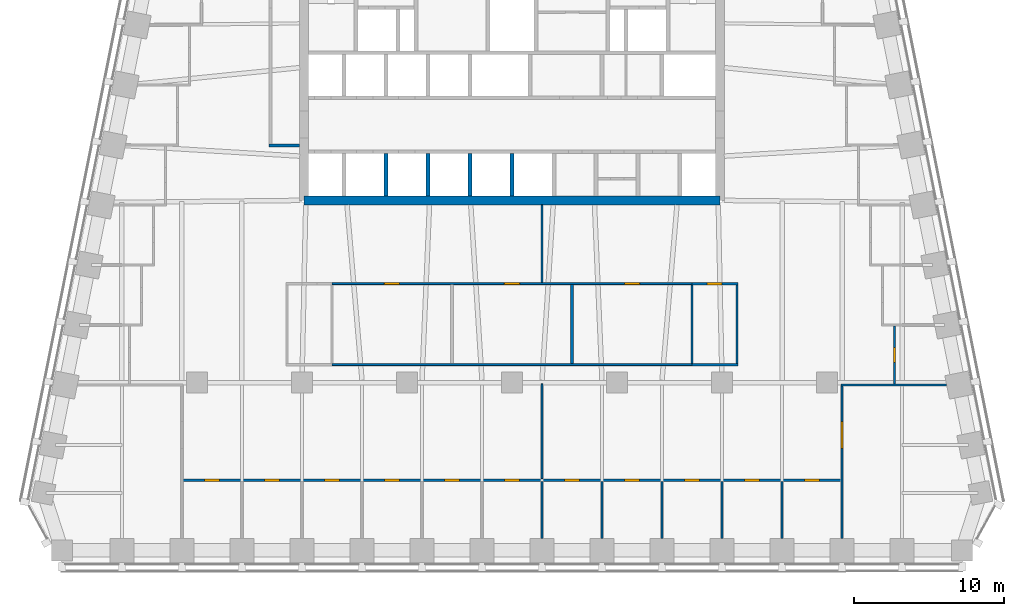
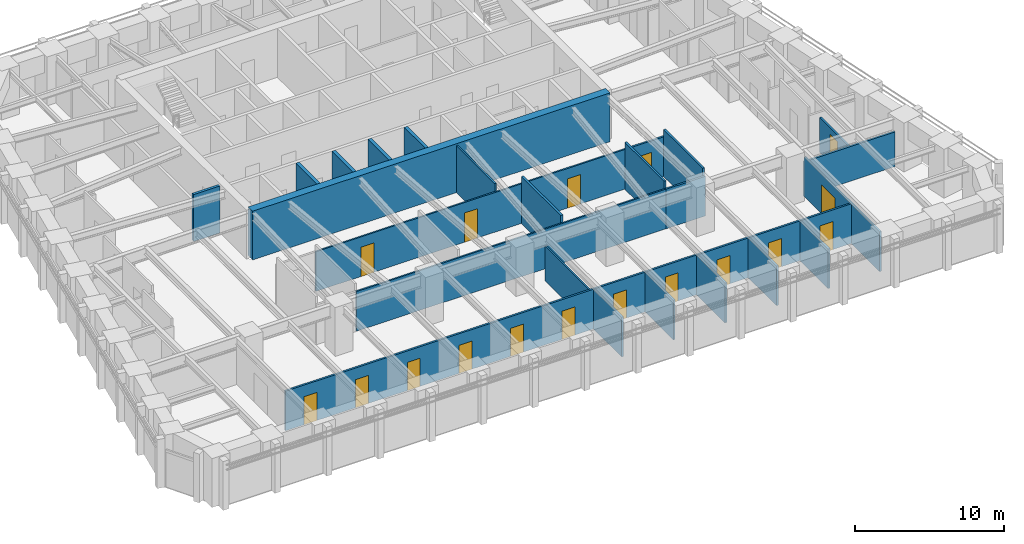
# One storey, part 6 of 11: 24 walls, 17 doors, 17 openings.
"""IFC4 building model written with IfcOpenShell, lengths in metres."""

from ifc_helpers import new_model, si_unit, direction, frame, frame_2d, origin, place, context, subcontext, project, spatial, rectangle, extrude, material, layer, layer_set, type_object, element, fill, save


model = new_model("IFC4")

# Units and contexts
model_context = context("Model", 3, precision=1e-05, world=origin(), true_north=direction((0.0, 1.0)))
body_context = subcontext(model_context, "Body", "Model", "MODEL_VIEW")
ifc_project = project(units=[si_unit("LENGTHUNIT", "METRE"), si_unit("AREAUNIT", "SQUARE_METRE"), si_unit("VOLUMEUNIT", "CUBIC_METRE"), si_unit("PLANEANGLEUNIT", "RADIAN"), si_unit("MASSUNIT", "GRAM", prefix="KILO")], contexts=[model_context])

# Site, building, storey
site_placement = place(None, origin())
site = spatial("IfcSite", under=ifc_project, at=site_placement, CompositionType="ELEMENT")
building_placement = place(site_placement, origin())
building = spatial("IfcBuilding", under=site, at=building_placement, Name="Isbrekke Arena Tower", CompositionType="ELEMENT")
storey_placement = place(building_placement, frame((0.0, 0.0, 202.0)))
storey = spatial("IfcBuildingStorey", under=building, at=storey_placement, Name="L46", CompositionType="ELEMENT", Elevation=202.0)

# Walls
ifc_material_1 = material(Name="Concrete B55 (C55/67)", Category="concrete")
ifc_layer_1 = layer(ifc_material_1, 0.60009765625)
ifc_layer_set_1 = layer_set([ifc_layer_1], Name="CW4 CORE WALL 600")
wall_type_1 = type_object("IfcWallType", Name="CW4 CORE WALL 600", PredefinedType="SHEAR", material=ifc_layer_set_1)
wall_1_placement = place(storey_placement, frame((-13.85009765625, 6.14990234375, 0.0), z_axis=(0.0, 0.0, 1.0), x_axis=(1.0, 0.0, 0.0)))
element("IfcWall", 1, at=wall_1_placement, inside=storey, type_object=wall_type_1, Name="Core wall S L46", PredefinedType="SHEAR", context=body_context, shape_type="SweptSolid", body=[
    extrude(rectangle(XDim=27.7001953125, YDim=0.60009765625, at=frame_2d((13.85009765625, 0.0))), origin(), (0.0, 0.0, 1.0), 4.0),
])
ifc_material_2 = material(Name="Concrete B45 (C45/55)", Category="concrete")
ifc_layer_2 = layer(ifc_material_2, 0.25)
ifc_layer_set_2 = layer_set([ifc_layer_2], Name="CW6 SHAFT WALL 250")
wall_type_2 = type_object("IfcWallType", Name="CW6 SHAFT WALL 250", PredefinedType="SHEAR", material=ifc_layer_set_2)
for number, where, z_axis, x_axis, name in (
    (2, (-8.39990234375, 6.449951171875, 0.0), (0.0, 0.0, 1.0), (0.0, 1.0, 0.0), "Core wall SS02 L46"),
    (3, (-5.60009765625, 6.449951171875, 0.0), (0.0, 0.0, 1.0), (0.0, 1.0, 0.0), "Core wall SS03 L46"),
    (4, (-2.800048828125, 6.449951171875, 0.0), (0.0, 0.0, 1.0), (0.0, 1.0, 0.0), "Core wall SS04 L46"),
    (5, (0.0, 6.449951171875, 0.0), (0.0, 0.0, 1.0), (0.0, 1.0, 0.0), "Core wall SS05 L46"),
):
    element("IfcWall", number, at=place(storey_placement, frame(where, z_axis=z_axis, x_axis=x_axis)), inside=storey, type_object=wall_type_2, Name=name, PredefinedType="SHEAR", context=body_context, shape_type="SweptSolid", body=[
        extrude(rectangle(XDim=2.824951171875, YDim=0.25, at=frame_2d((1.41259765625, 0.0))), origin(), (0.0, 0.0, 1.0), 4.0),
    ])

# Wall, openings, doors
ifc_material_3 = material(Name="Gypsum board partition on steel studs", Category="steel")
ifc_layer_3 = layer(ifc_material_3, 0.14990234375)
ifc_layer_set_3 = layer_set([ifc_layer_3], Name="IW1 PARTITION 150")
wall_type_3 = type_object("IfcWallType", Name="IW1 PARTITION 150", PredefinedType="PARTITIONING", material=ifc_layer_set_3)
wall_2_placement = place(storey_placement, frame((-21.925048828125, -12.5, 0.0), z_axis=(0.0, 0.0, 1.0), x_axis=(1.0, 0.0, 0.0)))
wall_2 = element("IfcWall", 6, at=wall_2_placement, inside=storey, type_object=wall_type_3, Name="IW1 partition 150 L46", PredefinedType="PARTITIONING", context=body_context, shape_type="SweptSolid", body=[
    extrude(rectangle(XDim=43.85009765625, YDim=0.14990234375, at=frame_2d((21.925048828125, 0.0))), origin(), (0.0, 0.0, 1.0), 3.25),
])
opening_1_placement = place(wall_2_placement, frame((1.425048828125, 0.0, 0.0)))
opening_1 = element("IfcOpeningElement", 7, at=opening_1_placement, cuts=wall_2, Name="Opening D10", PredefinedType="OPENING", context=body_context, shape_type="SweptSolid", body=[
    extrude(rectangle(XDim=1.0, YDim=2.300048828125, at=frame_2d((0.5, 1.14990234375))), frame((0.0, 0.08984375, 0.0), z_axis=(0.0, -1.0, 0.0), x_axis=(1.0, 0.0, 0.0)), (0.0, 0.0, 1.0), 0.1796875),
])
opening_2_placement = place(wall_2_placement, frame((5.425048828125, 0.0, 0.0)))
opening_2 = element("IfcOpeningElement", 8, at=opening_2_placement, cuts=wall_2, Name="Opening D10", PredefinedType="OPENING", context=body_context, shape_type="SweptSolid", body=[
    extrude(rectangle(XDim=1.0, YDim=2.300048828125, at=frame_2d((0.5, 1.14990234375))), frame((0.0, 0.08984375, 0.0), z_axis=(0.0, -1.0, 0.0), x_axis=(1.0, 0.0, 0.0)), (0.0, 0.0, 1.0), 0.1796875),
])
opening_3_placement = place(wall_2_placement, frame((9.425048828125, 0.0, 0.0)))
opening_3 = element("IfcOpeningElement", 9, at=opening_3_placement, cuts=wall_2, Name="Opening D10", PredefinedType="OPENING", context=body_context, shape_type="SweptSolid", body=[
    extrude(rectangle(XDim=1.0, YDim=2.300048828125, at=frame_2d((0.5, 1.14990234375))), frame((0.0, 0.08984375, 0.0), z_axis=(0.0, -1.0, 0.0), x_axis=(1.0, 0.0, 0.0)), (0.0, 0.0, 1.0), 0.1796875),
])
opening_4_placement = place(wall_2_placement, frame((13.425048828125, 0.0, 0.0)))
opening_4 = element("IfcOpeningElement", 10, at=opening_4_placement, cuts=wall_2, Name="Opening D10", PredefinedType="OPENING", context=body_context, shape_type="SweptSolid", body=[
    extrude(rectangle(XDim=1.0, YDim=2.300048828125, at=frame_2d((0.5, 1.14990234375))), frame((0.0, 0.08984375, 0.0), z_axis=(0.0, -1.0, 0.0), x_axis=(1.0, 0.0, 0.0)), (0.0, 0.0, 1.0), 0.1796875),
])
opening_5_placement = place(wall_2_placement, frame((17.425048828125, 0.0, 0.0)))
opening_5 = element("IfcOpeningElement", 11, at=opening_5_placement, cuts=wall_2, Name="Opening D10", PredefinedType="OPENING", context=body_context, shape_type="SweptSolid", body=[
    extrude(rectangle(XDim=1.0, YDim=2.300048828125, at=frame_2d((0.5, 1.14990234375))), frame((0.0, 0.08984375, 0.0), z_axis=(0.0, -1.0, 0.0), x_axis=(1.0, 0.0, 0.0)), (0.0, 0.0, 1.0), 0.1796875),
])
opening_6_placement = place(wall_2_placement, frame((21.425048828125, 0.0, 0.0)))
opening_6 = element("IfcOpeningElement", 12, at=opening_6_placement, cuts=wall_2, Name="Opening D10", PredefinedType="OPENING", context=body_context, shape_type="SweptSolid", body=[
    extrude(rectangle(XDim=1.0, YDim=2.300048828125, at=frame_2d((0.5, 1.14990234375))), frame((0.0, 0.08984375, 0.0), z_axis=(0.0, -1.0, 0.0), x_axis=(1.0, 0.0, 0.0)), (0.0, 0.0, 1.0), 0.1796875),
])
opening_7_placement = place(wall_2_placement, frame((25.425048828125, 0.0, 0.0)))
opening_7 = element("IfcOpeningElement", 13, at=opening_7_placement, cuts=wall_2, Name="Opening D10", PredefinedType="OPENING", context=body_context, shape_type="SweptSolid", body=[
    extrude(rectangle(XDim=1.0, YDim=2.300048828125, at=frame_2d((0.5, 1.14990234375))), frame((0.0, 0.08984375, 0.0), z_axis=(0.0, -1.0, 0.0), x_axis=(1.0, 0.0, 0.0)), (0.0, 0.0, 1.0), 0.1796875),
])
opening_8_placement = place(wall_2_placement, frame((29.425048828125, 0.0, 0.0)))
opening_8 = element("IfcOpeningElement", 14, at=opening_8_placement, cuts=wall_2, Name="Opening D10", PredefinedType="OPENING", context=body_context, shape_type="SweptSolid", body=[
    extrude(rectangle(XDim=1.0, YDim=2.300048828125, at=frame_2d((0.5, 1.14990234375))), frame((0.0, 0.08984375, 0.0), z_axis=(0.0, -1.0, 0.0), x_axis=(1.0, 0.0, 0.0)), (0.0, 0.0, 1.0), 0.1796875),
])
opening_9_placement = place(wall_2_placement, frame((33.425048828125, 0.0, 0.0)))
opening_9 = element("IfcOpeningElement", 15, at=opening_9_placement, cuts=wall_2, Name="Opening D10", PredefinedType="OPENING", context=body_context, shape_type="SweptSolid", body=[
    extrude(rectangle(XDim=1.0, YDim=2.300048828125, at=frame_2d((0.5, 1.14990234375))), frame((0.0, 0.08984375, 0.0), z_axis=(0.0, -1.0, 0.0), x_axis=(1.0, 0.0, 0.0)), (0.0, 0.0, 1.0), 0.1796875),
])
opening_10_placement = place(wall_2_placement, frame((37.425048828125, 0.0, 0.0)))
opening_10 = element("IfcOpeningElement", 16, at=opening_10_placement, cuts=wall_2, Name="Opening D10", PredefinedType="OPENING", context=body_context, shape_type="SweptSolid", body=[
    extrude(rectangle(XDim=1.0, YDim=2.300048828125, at=frame_2d((0.5, 1.14990234375))), frame((0.0, 0.08984375, 0.0), z_axis=(0.0, -1.0, 0.0), x_axis=(1.0, 0.0, 0.0)), (0.0, 0.0, 1.0), 0.1796875),
])
opening_11_placement = place(wall_2_placement, frame((41.425048828125, 0.0, 0.0)))
opening_11 = element("IfcOpeningElement", 17, at=opening_11_placement, cuts=wall_2, Name="Opening D10", PredefinedType="OPENING", context=body_context, shape_type="SweptSolid", body=[
    extrude(rectangle(XDim=1.0, YDim=2.300048828125, at=frame_2d((0.5, 1.14990234375))), frame((0.0, 0.08984375, 0.0), z_axis=(0.0, -1.0, 0.0), x_axis=(1.0, 0.0, 0.0)), (0.0, 0.0, 1.0), 0.1796875),
])
ifc_material_4 = material(Name="Timber door", Category="wood")
door_type_1 = type_object("IfcDoorType", Name="D10 OFFICE DOOR 1000 x 2300", OperationType="SINGLE_SWING_LEFT", PredefinedType="DOOR", material=ifc_material_4)
door_1_placement = place(opening_1_placement, origin())
door_1 = element("IfcDoor", 18, at=door_1_placement, inside=storey, type_object=door_type_1, Name="D10 office door L46", OperationType="SINGLE_SWING_LEFT", OverallHeight=2.300048828125, OverallWidth=1.0, PredefinedType="DOOR", context=body_context, shape_type="SweptSolid", body=[
    extrude(rectangle(XDim=1.0, YDim=2.300048828125, at=frame_2d((0.5, 1.14990234375))), frame((0.0, 0.07470703125, 0.0), z_axis=(0.0, -1.0, 0.0), x_axis=(1.0, 0.0, 0.0)), (0.0, 0.0, 1.0), 0.1494140625),
])
fill(opening_1, door_1)
door_2_placement = place(opening_2_placement, origin())
door_2 = element("IfcDoor", 19, at=door_2_placement, inside=storey, type_object=door_type_1, Name="D10 office door L46", OperationType="SINGLE_SWING_LEFT", OverallHeight=2.300048828125, OverallWidth=1.0, PredefinedType="DOOR", context=body_context, shape_type="SweptSolid", body=[
    extrude(rectangle(XDim=1.0, YDim=2.300048828125, at=frame_2d((0.5, 1.14990234375))), frame((0.0, 0.07470703125, 0.0), z_axis=(0.0, -1.0, 0.0), x_axis=(1.0, 0.0, 0.0)), (0.0, 0.0, 1.0), 0.1494140625),
])
fill(opening_2, door_2)
door_3_placement = place(opening_3_placement, origin())
door_3 = element("IfcDoor", 20, at=door_3_placement, inside=storey, type_object=door_type_1, Name="D10 office door L46", OperationType="SINGLE_SWING_LEFT", OverallHeight=2.300048828125, OverallWidth=1.0, PredefinedType="DOOR", context=body_context, shape_type="SweptSolid", body=[
    extrude(rectangle(XDim=1.0, YDim=2.300048828125, at=frame_2d((0.5, 1.14990234375))), frame((0.0, 0.07470703125, 0.0), z_axis=(0.0, -1.0, 0.0), x_axis=(1.0, 0.0, 0.0)), (0.0, 0.0, 1.0), 0.1494140625),
])
fill(opening_3, door_3)
door_4_placement = place(opening_4_placement, origin())
door_4 = element("IfcDoor", 21, at=door_4_placement, inside=storey, type_object=door_type_1, Name="D10 office door L46", OperationType="SINGLE_SWING_LEFT", OverallHeight=2.300048828125, OverallWidth=1.0, PredefinedType="DOOR", context=body_context, shape_type="SweptSolid", body=[
    extrude(rectangle(XDim=1.0, YDim=2.300048828125, at=frame_2d((0.5, 1.14990234375))), frame((0.0, 0.07470703125, 0.0), z_axis=(0.0, -1.0, 0.0), x_axis=(1.0, 0.0, 0.0)), (0.0, 0.0, 1.0), 0.1494140625),
])
fill(opening_4, door_4)
door_5_placement = place(opening_5_placement, origin())
door_5 = element("IfcDoor", 22, at=door_5_placement, inside=storey, type_object=door_type_1, Name="D10 office door L46", OperationType="SINGLE_SWING_LEFT", OverallHeight=2.300048828125, OverallWidth=1.0, PredefinedType="DOOR", context=body_context, shape_type="SweptSolid", body=[
    extrude(rectangle(XDim=1.0, YDim=2.300048828125, at=frame_2d((0.5, 1.14990234375))), frame((0.0, 0.07470703125, 0.0), z_axis=(0.0, -1.0, 0.0), x_axis=(1.0, 0.0, 0.0)), (0.0, 0.0, 1.0), 0.1494140625),
])
fill(opening_5, door_5)
door_6_placement = place(opening_6_placement, origin())
door_6 = element("IfcDoor", 23, at=door_6_placement, inside=storey, type_object=door_type_1, Name="D10 office door L46", OperationType="SINGLE_SWING_LEFT", OverallHeight=2.300048828125, OverallWidth=1.0, PredefinedType="DOOR", context=body_context, shape_type="SweptSolid", body=[
    extrude(rectangle(XDim=1.0, YDim=2.300048828125, at=frame_2d((0.5, 1.14990234375))), frame((0.0, 0.07470703125, 0.0), z_axis=(0.0, -1.0, 0.0), x_axis=(1.0, 0.0, 0.0)), (0.0, 0.0, 1.0), 0.1494140625),
])
fill(opening_6, door_6)
door_7_placement = place(opening_7_placement, origin())
door_7 = element("IfcDoor", 24, at=door_7_placement, inside=storey, type_object=door_type_1, Name="D10 office door L46", OperationType="SINGLE_SWING_LEFT", OverallHeight=2.300048828125, OverallWidth=1.0, PredefinedType="DOOR", context=body_context, shape_type="SweptSolid", body=[
    extrude(rectangle(XDim=1.0, YDim=2.300048828125, at=frame_2d((0.5, 1.14990234375))), frame((0.0, 0.07470703125, 0.0), z_axis=(0.0, -1.0, 0.0), x_axis=(1.0, 0.0, 0.0)), (0.0, 0.0, 1.0), 0.1494140625),
])
fill(opening_7, door_7)
door_8_placement = place(opening_8_placement, origin())
door_8 = element("IfcDoor", 25, at=door_8_placement, inside=storey, type_object=door_type_1, Name="D10 office door L46", OperationType="SINGLE_SWING_LEFT", OverallHeight=2.300048828125, OverallWidth=1.0, PredefinedType="DOOR", context=body_context, shape_type="SweptSolid", body=[
    extrude(rectangle(XDim=1.0, YDim=2.300048828125, at=frame_2d((0.5, 1.14990234375))), frame((0.0, 0.07470703125, 0.0), z_axis=(0.0, -1.0, 0.0), x_axis=(1.0, 0.0, 0.0)), (0.0, 0.0, 1.0), 0.1494140625),
])
fill(opening_8, door_8)
door_9_placement = place(opening_9_placement, origin())
door_9 = element("IfcDoor", 26, at=door_9_placement, inside=storey, type_object=door_type_1, Name="D10 office door L46", OperationType="SINGLE_SWING_LEFT", OverallHeight=2.300048828125, OverallWidth=1.0, PredefinedType="DOOR", context=body_context, shape_type="SweptSolid", body=[
    extrude(rectangle(XDim=1.0, YDim=2.300048828125, at=frame_2d((0.5, 1.14990234375))), frame((0.0, 0.07470703125, 0.0), z_axis=(0.0, -1.0, 0.0), x_axis=(1.0, 0.0, 0.0)), (0.0, 0.0, 1.0), 0.1494140625),
])
fill(opening_9, door_9)
door_10_placement = place(opening_10_placement, origin())
door_10 = element("IfcDoor", 27, at=door_10_placement, inside=storey, type_object=door_type_1, Name="D10 office door L46", OperationType="SINGLE_SWING_LEFT", OverallHeight=2.300048828125, OverallWidth=1.0, PredefinedType="DOOR", context=body_context, shape_type="SweptSolid", body=[
    extrude(rectangle(XDim=1.0, YDim=2.300048828125, at=frame_2d((0.5, 1.14990234375))), frame((0.0, 0.07470703125, 0.0), z_axis=(0.0, -1.0, 0.0), x_axis=(1.0, 0.0, 0.0)), (0.0, 0.0, 1.0), 0.1494140625),
])
fill(opening_10, door_10)
door_11_placement = place(opening_11_placement, origin())
door_11 = element("IfcDoor", 28, at=door_11_placement, inside=storey, type_object=door_type_1, Name="D10 office door L46", OperationType="SINGLE_SWING_LEFT", OverallHeight=2.300048828125, OverallWidth=1.0, PredefinedType="DOOR", context=body_context, shape_type="SweptSolid", body=[
    extrude(rectangle(XDim=1.0, YDim=2.300048828125, at=frame_2d((0.5, 1.14990234375))), frame((0.0, 0.07470703125, 0.0), z_axis=(0.0, -1.0, 0.0), x_axis=(1.0, 0.0, 0.0)), (0.0, 0.0, 1.0), 0.1494140625),
])
fill(opening_11, door_11)

# Walls
wall_3_placement = place(storey_placement, frame((21.925048828125, -6.159912109375, 0.0), z_axis=(0.0, 0.0, 1.0), x_axis=(1.0, 0.0, 0.0)))
element("IfcWall", 29, at=wall_3_placement, inside=storey, type_object=wall_type_3, Name="IW1 partition 150 L46", PredefinedType="PARTITIONING", context=body_context, shape_type="SweptSolid", body=[
    extrude(rectangle(XDim=7.0498046875, YDim=0.14990234375, at=frame_2d((3.52490234375, 0.0))), origin(), (0.0, 0.0, 1.0), 2.842041015625),
])
wall_4_placement = place(storey_placement, frame((12.0, -4.800048828125, 0.0), z_axis=(0.0, 0.0, 1.0), x_axis=(1.0, 0.0, 0.0)))
element("IfcWall", 30, at=wall_4_placement, inside=storey, type_object=wall_type_3, Name="IW1 partition 150 L46", PredefinedType="PARTITIONING", context=body_context, shape_type="SweptSolid", body=[
    extrude(rectangle(XDim=3.074951171875, YDim=0.14990234375, at=frame_2d((1.53759765625, 0.0))), origin(), (0.0, 0.0, 1.0), 3.25),
])

# Wall, opening, door
wall_5_placement = place(storey_placement, frame((12.0, 0.60009765625, 0.0), z_axis=(0.0, 0.0, 1.0), x_axis=(1.0, 0.0, 0.0)))
wall_5 = element("IfcWall", 31, at=wall_5_placement, inside=storey, type_object=wall_type_3, Name="IW1 partition 150 L46", PredefinedType="PARTITIONING", context=body_context, shape_type="SweptSolid", body=[
    extrude(rectangle(XDim=3.074951171875, YDim=0.14990234375, at=frame_2d((1.53759765625, 0.0))), origin(), (0.0, 0.0, 1.0), 3.25),
])
opening_12_placement = place(wall_5_placement, frame((1.0, 0.0, 0.0)))
opening_12 = element("IfcOpeningElement", 32, at=opening_12_placement, cuts=wall_5, Name="Opening D10", PredefinedType="OPENING", context=body_context, shape_type="SweptSolid", body=[
    extrude(rectangle(XDim=1.0, YDim=2.300048828125, at=frame_2d((0.5, 1.14990234375))), frame((0.0, 0.08984375, 0.0), z_axis=(0.0, -1.0, 0.0), x_axis=(1.0, 0.0, 0.0)), (0.0, 0.0, 1.0), 0.1796875),
])
door_12_placement = place(opening_12_placement, origin())
door_12 = element("IfcDoor", 33, at=door_12_placement, inside=storey, type_object=door_type_1, Name="D10 store door L46", OperationType="SINGLE_SWING_LEFT", OverallHeight=2.300048828125, OverallWidth=1.0, PredefinedType="DOOR", context=body_context, shape_type="SweptSolid", body=[
    extrude(rectangle(XDim=1.0, YDim=2.300048828125, at=frame_2d((0.5, 1.14990234375))), frame((0.0, 0.07470703125, 0.0), z_axis=(0.0, -1.0, 0.0), x_axis=(1.0, 0.0, 0.0)), (0.0, 0.0, 1.0), 0.1494140625),
])
fill(opening_12, door_12)

# Walls
for number, where, z_axis, x_axis, name in (
    (34, (2.0, -16.375, 0.0), (0.0, 0.0, 1.0), (0.0, 1.0, 0.0), "IW1 partition 150 L46"),
    (35, (6.0, -16.375, 0.0), (0.0, 0.0, 1.0), (0.0, 1.0, 0.0), "IW1 partition 150 L46"),
    (36, (10.0, -16.375, 0.0), (0.0, 0.0, 1.0), (0.0, 1.0, 0.0), "IW1 partition 150 L46"),
):
    element("IfcWall", number, at=place(storey_placement, frame(where, z_axis=z_axis, x_axis=x_axis)), inside=storey, type_object=wall_type_3, Name=name, PredefinedType="PARTITIONING", context=body_context, shape_type="SweptSolid", body=[
        extrude(rectangle(XDim=3.800048828125, YDim=0.14990234375, at=frame_2d((1.89990234375, 0.0))), origin(), (0.0, 0.0, 1.0), 3.25),
    ])
wall_6_placement = place(storey_placement, frame((12.0, -4.72509765625, 0.0), z_axis=(0.0, 0.0, 1.0), x_axis=(0.0, 1.0, 0.0)))
element("IfcWall", 37, at=wall_6_placement, inside=storey, type_object=wall_type_3, Name="IW1 partition 150 L46", PredefinedType="PARTITIONING", context=body_context, shape_type="SweptSolid", body=[
    extrude(rectangle(XDim=5.25, YDim=0.14990234375, at=frame_2d((2.625, 0.0))), origin(), (0.0, 0.0, 1.0), 3.85009765625),
])
wall_7_placement = place(storey_placement, frame((14.0, -16.375, 0.0), z_axis=(0.0, 0.0, 1.0), x_axis=(0.0, 1.0, 0.0)))
element("IfcWall", 38, at=wall_7_placement, inside=storey, type_object=wall_type_3, Name="IW1 partition 150 L46", PredefinedType="PARTITIONING", context=body_context, shape_type="SweptSolid", body=[
    extrude(rectangle(XDim=3.800048828125, YDim=0.14990234375, at=frame_2d((1.89990234375, 0.0))), origin(), (0.0, 0.0, 1.0), 3.25),
])
wall_8_placement = place(storey_placement, frame((15.0, -4.72509765625, 0.0), z_axis=(0.0, 0.0, 1.0), x_axis=(0.0, 1.0, 0.0)))
element("IfcWall", 39, at=wall_8_placement, inside=storey, type_object=wall_type_3, Name="IW1 partition 150 L46", PredefinedType="PARTITIONING", context=body_context, shape_type="SweptSolid", body=[
    extrude(rectangle(XDim=5.25, YDim=0.14990234375, at=frame_2d((2.625, 0.0))), origin(), (0.0, 0.0, 1.0), 3.85009765625),
])
wall_9_placement = place(storey_placement, frame((18.0, -16.375, 0.0), z_axis=(0.0, 0.0, 1.0), x_axis=(0.0, 1.0, 0.0)))
element("IfcWall", 40, at=wall_9_placement, inside=storey, type_object=wall_type_3, Name="IW1 partition 150 L46", PredefinedType="PARTITIONING", context=body_context, shape_type="SweptSolid", body=[
    extrude(rectangle(XDim=3.800048828125, YDim=0.14990234375, at=frame_2d((1.89990234375, 0.0))), origin(), (0.0, 0.0, 1.0), 3.25),
])

# Wall, opening, door
wall_10_placement = place(storey_placement, frame((22.0, -16.375, 0.0), z_axis=(0.0, 0.0, 1.0), x_axis=(0.0, 1.0, 0.0)))
wall_10 = element("IfcWall", 41, at=wall_10_placement, inside=storey, type_object=wall_type_3, Name="IW1 partition 150 L46", PredefinedType="PARTITIONING", context=body_context, shape_type="SweptSolid", body=[
    extrude(rectangle(XDim=10.139892578125, YDim=0.14990234375, at=frame_2d((5.06982421875, 0.0))), origin(), (0.0, 0.0, 1.0), 3.25),
])
opening_13_placement = place(wall_10_placement, frame((5.97509765625, 0.0, 0.0)))
opening_13 = element("IfcOpeningElement", 42, at=opening_13_placement, cuts=wall_10, Name="Opening D13", PredefinedType="OPENING", context=body_context, shape_type="SweptSolid", body=[
    extrude(rectangle(XDim=1.800048828125, YDim=2.39990234375, at=frame_2d((0.89990234375, 1.199951171875))), frame((0.0, 0.08984375, 0.0), z_axis=(0.0, -1.0, 0.0), x_axis=(1.0, 0.0, 0.0)), (0.0, 0.0, 1.0), 0.1796875),
])
ifc_material_5 = material(Name="Timber door pair", Category="wood")
door_type_2 = type_object("IfcDoorType", Name="D13 DOUBLE ROOM DOOR 1800 x 2400", OperationType="DOUBLE_DOOR_SINGLE_SWING", PredefinedType="DOOR", material=ifc_material_5)
door_13_placement = place(opening_13_placement, origin())
door_13 = element("IfcDoor", 43, at=door_13_placement, inside=storey, type_object=door_type_2, Name="D13 office door L46", OperationType="DOUBLE_DOOR_SINGLE_SWING", OverallHeight=2.39990234375, OverallWidth=1.800048828125, PredefinedType="DOOR", context=body_context, shape_type="SweptSolid", body=[
    extrude(rectangle(XDim=1.800048828125, YDim=2.39990234375, at=frame_2d((0.89990234375, 1.199951171875))), frame((0.0, 0.07470703125, 0.0), z_axis=(0.0, -1.0, 0.0), x_axis=(1.0, 0.0, 0.0)), (0.0, 0.0, 1.0), 0.1494140625),
])
fill(opening_13, door_13)

wall_11_placement = place(storey_placement, frame((25.5, -6.0849609375, 0.0), z_axis=(0.0, 0.0, 1.0), x_axis=(0.0, 1.0, 0.0)))
wall_11 = element("IfcWall", 44, at=wall_11_placement, inside=storey, type_object=wall_type_3, Name="IW1 partition 150 L46", PredefinedType="PARTITIONING", context=body_context, shape_type="SweptSolid", body=[
    extrude(rectangle(XDim=3.849853515625, YDim=0.14990234375, at=frame_2d((1.9248046875, 0.0))), origin(), (0.0, 0.0, 1.0), 2.842041015625),
])
opening_14_placement = place(wall_11_placement, frame((1.425048828125, 0.0, 0.0)))
opening_14 = element("IfcOpeningElement", 45, at=opening_14_placement, cuts=wall_11, Name="Opening D10", PredefinedType="OPENING", context=body_context, shape_type="SweptSolid", body=[
    extrude(rectangle(XDim=1.0, YDim=2.300048828125, at=frame_2d((0.5, 1.14990234375))), frame((0.0, 0.08984375, 0.0), z_axis=(0.0, -1.0, 0.0), x_axis=(1.0, 0.0, 0.0)), (0.0, 0.0, 1.0), 0.1796875),
])
door_14_placement = place(opening_14_placement, origin())
door_14 = element("IfcDoor", 46, at=door_14_placement, inside=storey, type_object=door_type_1, Name="D10 office door L46", OperationType="SINGLE_SWING_LEFT", OverallHeight=2.300048828125, OverallWidth=1.0, PredefinedType="DOOR", context=body_context, shape_type="SweptSolid", body=[
    extrude(rectangle(XDim=1.0, YDim=2.300048828125, at=frame_2d((0.5, 1.14990234375))), frame((0.0, 0.07470703125, 0.0), z_axis=(0.0, -1.0, 0.0), x_axis=(1.0, 0.0, 0.0)), (0.0, 0.0, 1.0), 0.1494140625),
])
fill(opening_14, door_14)

# Wall
ifc_material_6 = material(Name="Frameless glazed partition, laminated acoustic glass", Category="glass")
ifc_layer_4 = layer(ifc_material_6, 0.1201171875)
ifc_layer_set_4 = layer_set([ifc_layer_4], Name="IW2 GLAZED PARTITION 120")
wall_type_4 = type_object("IfcWallType", Name="IW2 GLAZED PARTITION 120", PredefinedType="PARTITIONING", material=ifc_layer_set_4)
wall_12_placement = place(storey_placement, frame((-12.0, -4.800048828125, 0.0), z_axis=(0.0, 0.0, 1.0), x_axis=(1.0, 0.0, 0.0)))
element("IfcWall", 47, at=wall_12_placement, inside=storey, type_object=wall_type_4, Name="IW2 glazed partition 120 L46", PredefinedType="PARTITIONING", context=body_context, shape_type="SweptSolid", body=[
    extrude(rectangle(XDim=24.0, YDim=0.1201171875, at=frame_2d((12.0, 0.0))), origin(), (0.0, 0.0, 1.0), 3.25),
])

# Wall, openings, doors
wall_13_placement = place(storey_placement, frame((-12.0, 0.60009765625, 0.0), z_axis=(0.0, 0.0, 1.0), x_axis=(1.0, 0.0, 0.0)))
wall_13 = element("IfcWall", 48, at=wall_13_placement, inside=storey, type_object=wall_type_4, Name="IW2 glazed partition 120 L46", PredefinedType="PARTITIONING", context=body_context, shape_type="SweptSolid", body=[
    extrude(rectangle(XDim=24.0, YDim=0.1201171875, at=frame_2d((12.0, 0.0))), origin(), (0.0, 0.0, 1.0), 3.25),
])
opening_15_placement = place(wall_13_placement, frame((3.5, 0.0, 0.0)))
opening_15 = element("IfcOpeningElement", 49, at=opening_15_placement, cuts=wall_13, Name="Opening D11", PredefinedType="OPENING", context=body_context, shape_type="SweptSolid", body=[
    extrude(rectangle(XDim=1.0, YDim=2.39990234375, at=frame_2d((0.5, 1.199951171875))), frame((0.0, 0.074951171875, 0.0), z_axis=(0.0, -1.0, 0.0), x_axis=(1.0, 0.0, 0.0)), (0.0, 0.0, 1.0), 0.14990234375),
])
opening_16_placement = place(wall_13_placement, frame((11.5, 0.0, 0.0)))
opening_16 = element("IfcOpeningElement", 50, at=opening_16_placement, cuts=wall_13, Name="Opening D11", PredefinedType="OPENING", context=body_context, shape_type="SweptSolid", body=[
    extrude(rectangle(XDim=1.0, YDim=2.39990234375, at=frame_2d((0.5, 1.199951171875))), frame((0.0, 0.074951171875, 0.0), z_axis=(0.0, -1.0, 0.0), x_axis=(1.0, 0.0, 0.0)), (0.0, 0.0, 1.0), 0.14990234375),
])
opening_17_placement = place(wall_13_placement, frame((19.5, 0.0, 0.0)))
opening_17 = element("IfcOpeningElement", 51, at=opening_17_placement, cuts=wall_13, Name="Opening D11", PredefinedType="OPENING", context=body_context, shape_type="SweptSolid", body=[
    extrude(rectangle(XDim=1.0, YDim=2.39990234375, at=frame_2d((0.5, 1.199951171875))), frame((0.0, 0.074951171875, 0.0), z_axis=(0.0, -1.0, 0.0), x_axis=(1.0, 0.0, 0.0)), (0.0, 0.0, 1.0), 0.14990234375),
])
ifc_material_7 = material(Name="Frameless glazed door", Category="glass")
door_type_3 = type_object("IfcDoorType", Name="D11 GLAZED MEETING ROOM DOOR 1000 x 2400", OperationType="SINGLE_SWING_RIGHT", PredefinedType="DOOR", material=ifc_material_7)
door_15_placement = place(opening_15_placement, origin())
door_15 = element("IfcDoor", 52, at=door_15_placement, inside=storey, type_object=door_type_3, Name="D11 meeting room door L46", OperationType="SINGLE_SWING_RIGHT", OverallHeight=2.39990234375, OverallWidth=1.0, PredefinedType="DOOR", context=body_context, shape_type="SweptSolid", body=[
    extrude(rectangle(XDim=1.0, YDim=2.39990234375, at=frame_2d((0.5, 1.199951171875))), frame((0.0, 0.059814453125, 0.0), z_axis=(0.0, -1.0, 0.0), x_axis=(1.0, 0.0, 0.0)), (0.0, 0.0, 1.0), 0.11962890625),
])
fill(opening_15, door_15)
door_16_placement = place(opening_16_placement, origin())
door_16 = element("IfcDoor", 53, at=door_16_placement, inside=storey, type_object=door_type_3, Name="D11 meeting room door L46", OperationType="SINGLE_SWING_RIGHT", OverallHeight=2.39990234375, OverallWidth=1.0, PredefinedType="DOOR", context=body_context, shape_type="SweptSolid", body=[
    extrude(rectangle(XDim=1.0, YDim=2.39990234375, at=frame_2d((0.5, 1.199951171875))), frame((0.0, 0.059814453125, 0.0), z_axis=(0.0, -1.0, 0.0), x_axis=(1.0, 0.0, 0.0)), (0.0, 0.0, 1.0), 0.11962890625),
])
fill(opening_16, door_16)
door_17_placement = place(opening_17_placement, origin())
door_17 = element("IfcDoor", 54, at=door_17_placement, inside=storey, type_object=door_type_3, Name="D11 meeting room door L46", OperationType="SINGLE_SWING_RIGHT", OverallHeight=2.39990234375, OverallWidth=1.0, PredefinedType="DOOR", context=body_context, shape_type="SweptSolid", body=[
    extrude(rectangle(XDim=1.0, YDim=2.39990234375, at=frame_2d((0.5, 1.199951171875))), frame((0.0, 0.059814453125, 0.0), z_axis=(0.0, -1.0, 0.0), x_axis=(1.0, 0.0, 0.0)), (0.0, 0.0, 1.0), 0.11962890625),
])
fill(opening_17, door_17)

# Walls
wall_14_placement = place(storey_placement, frame((2.0009765625, -12.405029296875, 0.0), z_axis=(0.0, 0.0, 1.0), x_axis=(0.0, 1.0, 0.0)))
element("IfcWall", 55, at=wall_14_placement, inside=storey, type_object=wall_type_4, Name="IW2 glazed partition 120 L46", PredefinedType="PARTITIONING", context=body_context, shape_type="SweptSolid", body=[
    extrude(rectangle(XDim=6.324951171875, YDim=0.1201171875, at=frame_2d((3.16259765625, 0.0))), origin(), (0.0, 0.0, 1.0), 2.842041015625),
])
wall_15_placement = place(storey_placement, frame((2.0009765625, 0.679931640625, 0.0), z_axis=(0.0, 0.0, 1.0), x_axis=(0.0, 1.0, 0.0)))
element("IfcWall", 56, at=wall_15_placement, inside=storey, type_object=wall_type_4, Name="IW2 glazed partition 120 L46", PredefinedType="PARTITIONING", context=body_context, shape_type="SweptSolid", body=[
    extrude(rectangle(XDim=5.170166015625, YDim=0.1201171875, at=frame_2d((2.5849609375, 0.0))), origin(), (0.0, 0.0, 1.0), 3.85009765625),
])
ifc_material_8 = material(Name="Gypsum board fire-cell wall on steel studs, two layers each side", Category="steel")
ifc_layer_5 = layer(ifc_material_8, 0.199951171875)
ifc_layer_set_5 = layer_set([ifc_layer_5], Name="IW3 FIRE-CELL WALL 200")
wall_type_5 = type_object("IfcWallType", Name="IW3 FIRE-CELL WALL 200", PredefinedType="PARTITIONING", material=ifc_layer_set_5)
wall_16_placement = place(storey_placement, frame((-16.199951171875, 9.800048828125, 0.0), z_axis=(0.0, 0.0, 1.0), x_axis=(1.0, 0.0, 0.0)))
element("IfcWall", 57, at=wall_16_placement, inside=storey, type_object=wall_type_5, Name="IW3 fire-cell wall 200 L46", PredefinedType="PARTITIONING", context=body_context, shape_type="SweptSolid", body=[
    extrude(rectangle(XDim=2.02001953125, YDim=0.199951171875, at=frame_2d((1.010009765625, 0.0))), origin(), (0.0, 0.0, 1.0), 3.85009765625),
])
ifc_material_9 = material(Name="Gypsum board acoustic partition on twin steel studs", Category="steel")
ifc_layer_6 = layer(ifc_material_9, 0.175048828125)
ifc_layer_set_6 = layer_set([ifc_layer_6], Name="IW4 ACOUSTIC PARTITION 175")
wall_type_6 = type_object("IfcWallType", Name="IW4 ACOUSTIC PARTITION 175", PredefinedType="PARTITIONING", material=ifc_layer_set_6)
wall_17_placement = place(storey_placement, frame((4.0, -4.739990234375, 0.0), z_axis=(0.0, 0.0, 1.0), x_axis=(0.0, 1.0, 0.0)))
element("IfcWall", 58, at=wall_17_placement, inside=storey, type_object=wall_type_6, Name="IW4 acoustic partition 175 L46", PredefinedType="PARTITIONING", context=body_context, shape_type="SweptSolid", body=[
    extrude(rectangle(XDim=5.280029296875, YDim=0.175048828125, at=frame_2d((2.64013671875, 0.0))), origin(), (0.0, 0.0, 1.0), 3.85009765625),
])

save(model, "model.ifc")
